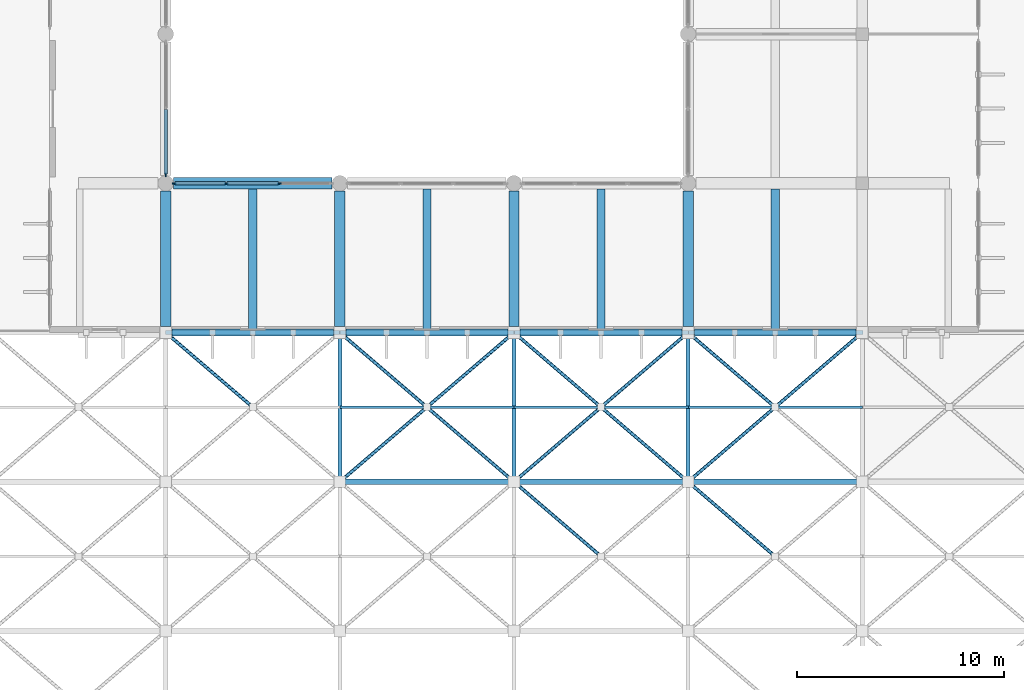
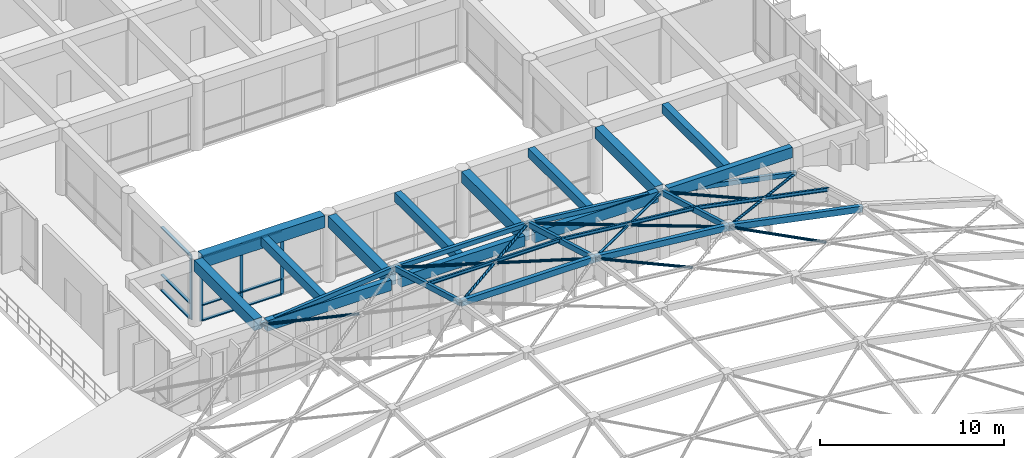
# One storey, part 5 of 23: 37 members, 13 beams, 2 elements without a shape of their own.
"""IFC4 building model written with IfcOpenShell, lengths in metres."""

from ifc_helpers import new_model, si_unit, direction, frame, origin, origin_2d, place, context, subcontext, project, spatial, rectangle, hollow_rectangle, hollow_circle, i_section, extrude, material, material_profile, profile_set, type_object, element, aggregate, save


model = new_model("IFC4")

# Units and contexts
model_context = context("Model", 3, precision=1e-05, world=origin(), true_north=direction((0.0, 1.0)))
body_context = subcontext(model_context, "Body", "Model", "MODEL_VIEW")
ifc_project = project(units=[si_unit("LENGTHUNIT", "METRE"), si_unit("AREAUNIT", "SQUARE_METRE"), si_unit("VOLUMEUNIT", "CUBIC_METRE"), si_unit("PLANEANGLEUNIT", "RADIAN"), si_unit("MASSUNIT", "GRAM", prefix="KILO")], contexts=[model_context])

# Site, building, storey
site_placement = place(None, origin())
site = spatial("IfcSite", under=ifc_project, at=site_placement, CompositionType="ELEMENT")
building_placement = place(site_placement, origin())
building = spatial("IfcBuilding", under=site, at=building_placement, Name="Kenerak Square Central Library", CompositionType="ELEMENT")
storey_placement = place(building_placement, frame((0.0, 0.0, 18.8798828125)))
storey = spatial("IfcBuildingStorey", under=building, at=storey_placement, Name="L04", CompositionType="ELEMENT", Elevation=18.8798828125)

# Beams
ifc_material_1 = material(Name="Concrete C40/50", Category="concrete")
ifc_material_profile_1 = material_profile(ifc_material_1, rectangle(XDim=0.35009765625, YDim=0.699951171875, at=origin_2d()), Name="RC 350x700")
ifc_profile_set_1 = profile_set([ifc_material_profile_1], Name="Concrete C40/50")
beam_type_1 = type_object("IfcBeamType", Name="Expressed Spandrel Beam SP-01 RC 350x700 C40/50", PredefinedType="SPANDREL", material=ifc_profile_set_1)
for number, where, z_axis, x_axis, name in (
    (1, (75.5, 52.800048828125, 4.130126953125), (1.0, 0.0, 0.0), (0.0, 1.0, 0.0), "Beam SP-01 L04 1535"),
    (2, (83.89990234375, 52.800048828125, 4.130126953125), (1.0, 0.0, 0.0), (0.0, 1.0, 0.0), "Beam SP-01 L04 1536"),
    (3, (92.300048828125, 52.800048828125, 4.130126953125), (1.0, 0.0, 0.0), (0.0, 1.0, 0.0), "Beam SP-01 L04 1537"),
    (4, (100.699951171875, 52.800048828125, 4.130126953125), (1.0, 0.0, 0.0), (0.0, 1.0, 0.0), "Beam SP-01 L04 1538"),
):
    element("IfcBeam", number, at=place(storey_placement, frame(where, z_axis=z_axis, x_axis=x_axis)), inside=storey, type_object=beam_type_1, Name=name, PredefinedType="SPANDREL", context=body_context, shape_type="SweptSolid", body=[
        extrude(rectangle(XDim=0.35009765625, YDim=0.699951171875, at=origin_2d()), origin(), (0.0, 0.0, 1.0), 7.800048828125),
    ])

# Curtain wall, members
ifc_material_2 = material(Name="Intumescent fire-resisting glazing EI 60", Category="glass")
curtain_wall_type_1 = type_object("IfcCurtainWallType", Name="Curtain Wall CW-AT60-76x42 7650x4255", PredefinedType="USERDEFINED", material=ifc_material_2)
curtain_wall_1_placement = place(storey_placement, origin())
curtain_wall_1 = element("IfcCurtainWall", 5, at=curtain_wall_1_placement, inside=storey, type_object=curtain_wall_type_1, Name="Atrium Fire-Rated Glazed Screen CW-AT60-76x42 L04 0177", ObjectType="CURTAIN WALL", PredefinedType="USERDEFINED")
ifc_material_3 = material(Name="Anodised aluminium 6063-T6", Category="aluminium")
ifc_material_profile_2 = material_profile(ifc_material_3, rectangle(XDim=0.070068359375, YDim=0.199951171875, at=origin_2d()), Name="AL MULLION 70x200")
ifc_profile_set_2 = profile_set([ifc_material_profile_2], Name="Anodised aluminium 6063-T6")
member_type_1 = type_object("IfcMemberType", Name="Fire-Rated Glazing Mullion CM-05 70x200", PredefinedType="MULLION", material=ifc_profile_set_2)
member_1_placement = place(storey_placement, frame((75.610107421875, 60.0, 0.0), z_axis=(0.0, 0.0, 1.0), x_axis=(0.0, 1.0, 0.0)))
member_1 = element("IfcMember", 6, at=member_1_placement, type_object=member_type_1, Name="CW-AT60-76x42 Mullion 1", PredefinedType="MULLION", context=body_context, shape_type="SweptSolid", body=[
    extrude(rectangle(XDim=0.070068359375, YDim=0.199951171875, at=origin_2d()), origin(), (0.0, 0.0, 1.0), 4.255126953125),
])
member_2_placement = place(storey_placement, frame((78.125, 60.0, 0.0), z_axis=(0.0, 0.0, 1.0), x_axis=(0.0, 1.0, 0.0)))
member_2 = element("IfcMember", 7, at=member_2_placement, type_object=member_type_1, Name="CW-AT60-76x42 Mullion 2", PredefinedType="MULLION", context=body_context, shape_type="SweptSolid", body=[
    extrude(rectangle(XDim=0.070068359375, YDim=0.199951171875, at=origin_2d()), origin(), (0.0, 0.0, 1.0), 4.255126953125),
])
member_3_placement = place(storey_placement, frame((80.675048828125, 60.0, 0.0), z_axis=(0.0, 0.0, 1.0), x_axis=(0.0, 1.0, 0.0)))
member_3 = element("IfcMember", 8, at=member_3_placement, type_object=member_type_1, Name="CW-AT60-76x42 Mullion 3", PredefinedType="MULLION", context=body_context, shape_type="SweptSolid", body=[
    extrude(rectangle(XDim=0.070068359375, YDim=0.199951171875, at=origin_2d()), origin(), (0.0, 0.0, 1.0), 4.255126953125),
])

# Curtain wall, member
curtain_wall_type_2 = type_object("IfcCurtainWallType", Name="Curtain Wall CW-AT60-64x42 6450x4255", PredefinedType="USERDEFINED", material=ifc_material_2)
curtain_wall_2_placement = place(storey_placement, origin())
curtain_wall_2 = element("IfcCurtainWall", 9, at=curtain_wall_2_placement, inside=storey, type_object=curtain_wall_type_2, Name="Atrium Fire-Rated Glazed Screen CW-AT60-64x42 L04 0186", ObjectType="CURTAIN WALL", PredefinedType="USERDEFINED")
member_4_placement = place(storey_placement, frame((75.199951171875, 60.409912109375, 0.0), z_axis=(0.0, 0.0, 1.0), x_axis=(1.0, 0.0, 0.0)))
member_4 = element("IfcMember", 10, at=member_4_placement, type_object=member_type_1, Name="CW-AT60-64x42 Mullion 3", PredefinedType="MULLION", context=body_context, shape_type="SweptSolid", body=[
    extrude(rectangle(XDim=0.070068359375, YDim=0.199951171875, at=origin_2d()), origin(), (0.0, 0.0, 1.0), 4.255126953125),
])

# Member
ifc_material_profile_3 = material_profile(ifc_material_3, rectangle(XDim=0.179931640625, YDim=0.070068359375, at=origin_2d()), Name="AL TRANSOM 180x70")
ifc_profile_set_3 = profile_set([ifc_material_profile_3], Name="Anodised aluminium 6063-T6")
member_type_2 = type_object("IfcMemberType", Name="Fire-Rated Glazing Transom CT-15 180x70", PredefinedType="USERDEFINED", material=ifc_profile_set_3)
member_5_placement = place(storey_placement, frame((75.64501953125, 60.0, 0.03515625), z_axis=(1.0, 0.0, 0.0), x_axis=(0.0, 1.0, 0.0)))
member_5 = element("IfcMember", 11, at=member_5_placement, type_object=member_type_2, Name="CW-AT60-76x42 Transom 1.1", ObjectType="TRANSOM", PredefinedType="USERDEFINED", context=body_context, shape_type="SweptSolid", body=[
    extrude(rectangle(XDim=0.179931640625, YDim=0.070068359375, at=origin_2d()), origin(), (0.0, 0.0, 1.0), 2.445068359375),
])

member_6_placement = place(storey_placement, frame((75.64501953125, 60.0, 1.050048828125), z_axis=(1.0, 0.0, 0.0), x_axis=(0.0, 1.0, 0.0)))
member_6 = element("IfcMember", 12, at=member_6_placement, type_object=member_type_2, Name="CW-AT60-76x42 Transom 1.2", ObjectType="TRANSOM", PredefinedType="USERDEFINED", context=body_context, shape_type="SweptSolid", body=[
    extrude(rectangle(XDim=0.179931640625, YDim=0.070068359375, at=origin_2d()), origin(), (0.0, 0.0, 1.0), 2.445068359375),
])

member_7_placement = place(storey_placement, frame((75.64501953125, 60.0, 4.22021484375), z_axis=(1.0, 0.0, 0.0), x_axis=(0.0, 1.0, 0.0)))
member_7 = element("IfcMember", 13, at=member_7_placement, type_object=member_type_2, Name="CW-AT60-76x42 Transom 1.3", ObjectType="TRANSOM", PredefinedType="USERDEFINED", context=body_context, shape_type="SweptSolid", body=[
    extrude(rectangle(XDim=0.179931640625, YDim=0.070068359375, at=origin_2d()), origin(), (0.0, 0.0, 1.0), 2.445068359375),
])

member_8_placement = place(storey_placement, frame((78.159912109375, 60.0, 0.03515625), z_axis=(1.0, 0.0, 0.0), x_axis=(0.0, 1.0, 0.0)))
member_8 = element("IfcMember", 14, at=member_8_placement, type_object=member_type_2, Name="CW-AT60-76x42 Transom 2.1", ObjectType="TRANSOM", PredefinedType="USERDEFINED", context=body_context, shape_type="SweptSolid", body=[
    extrude(rectangle(XDim=0.179931640625, YDim=0.070068359375, at=origin_2d()), origin(), (0.0, 0.0, 1.0), 2.47998046875),
])

member_9_placement = place(storey_placement, frame((78.159912109375, 60.0, 1.050048828125), z_axis=(1.0, 0.0, 0.0), x_axis=(0.0, 1.0, 0.0)))
member_9 = element("IfcMember", 15, at=member_9_placement, type_object=member_type_2, Name="CW-AT60-76x42 Transom 2.2", ObjectType="TRANSOM", PredefinedType="USERDEFINED", context=body_context, shape_type="SweptSolid", body=[
    extrude(rectangle(XDim=0.179931640625, YDim=0.070068359375, at=origin_2d()), origin(), (0.0, 0.0, 1.0), 2.47998046875),
])

member_10_placement = place(storey_placement, frame((78.159912109375, 60.0, 4.22021484375), z_axis=(1.0, 0.0, 0.0), x_axis=(0.0, 1.0, 0.0)))
member_10 = element("IfcMember", 16, at=member_10_placement, type_object=member_type_2, Name="CW-AT60-76x42 Transom 2.3", ObjectType="TRANSOM", PredefinedType="USERDEFINED", context=body_context, shape_type="SweptSolid", body=[
    extrude(rectangle(XDim=0.179931640625, YDim=0.070068359375, at=origin_2d()), origin(), (0.0, 0.0, 1.0), 2.47998046875),
])

aggregate(curtain_wall_1, [member_1, member_2, member_3, member_5, member_6, member_7, member_8, member_9, member_10])

member_11_placement = place(storey_placement, frame((75.199951171875, 63.56494140625, 0.03515625), z_axis=(0.0, -1.0, 0.0), x_axis=(1.0, 0.0, 0.0)))
member_11 = element("IfcMember", 17, at=member_11_placement, type_object=member_type_2, Name="CW-AT60-64x42 Transom 2.1", ObjectType="TRANSOM", PredefinedType="USERDEFINED", context=body_context, shape_type="SweptSolid", body=[
    extrude(rectangle(XDim=0.179931640625, YDim=0.070068359375, at=origin_2d()), origin(), (0.0, 0.0, 1.0), 3.119873046875),
])

member_12_placement = place(storey_placement, frame((75.199951171875, 63.56494140625, 1.050048828125), z_axis=(0.0, -1.0, 0.0), x_axis=(1.0, 0.0, 0.0)))
member_12 = element("IfcMember", 18, at=member_12_placement, type_object=member_type_2, Name="CW-AT60-64x42 Transom 2.2", ObjectType="TRANSOM", PredefinedType="USERDEFINED", context=body_context, shape_type="SweptSolid", body=[
    extrude(rectangle(XDim=0.179931640625, YDim=0.070068359375, at=origin_2d()), origin(), (0.0, 0.0, 1.0), 3.119873046875),
])

member_13_placement = place(storey_placement, frame((75.199951171875, 63.56494140625, 4.22021484375), z_axis=(0.0, -1.0, 0.0), x_axis=(1.0, 0.0, 0.0)))
member_13 = element("IfcMember", 19, at=member_13_placement, type_object=member_type_2, Name="CW-AT60-64x42 Transom 2.3", ObjectType="TRANSOM", PredefinedType="USERDEFINED", context=body_context, shape_type="SweptSolid", body=[
    extrude(rectangle(XDim=0.179931640625, YDim=0.070068359375, at=origin_2d()), origin(), (0.0, 0.0, 1.0), 3.119873046875),
])

aggregate(curtain_wall_2, [member_4, member_11, member_12, member_13])

# Members
ifc_material_4 = material(Name="Steel S355", Category="steel")
ifc_material_profile_4 = material_profile(ifc_material_4, hollow_rectangle(XDim=0.25, YDim=0.39990234375, WallThickness=0.012451171875, at=origin_2d()), Name="RHS 400x250x12.5")
ifc_profile_set_4 = profile_set([ifc_material_profile_4], Name="Steel S355")
member_type_3 = type_object("IfcMemberType", Name="Gridshell Arch Rib GM-02 RHS 400x250x12.5 S355", PredefinedType="CHORD", material=ifc_profile_set_4)
member_14_placement = place(storey_placement, frame((83.60009765625, 45.60009765625, 7.14208984375), z_axis=(1.0, 0.0, 0.0), x_axis=(0.0, 1.0, 0.0)))
element("IfcMember", 20, at=member_14_placement, inside=storey, type_object=member_type_3, Name="Gridshell Arch Chord 0032", PredefinedType="CHORD", context=body_context, shape_type="SweptSolid", body=[
    extrude(hollow_rectangle(XDim=0.25, YDim=0.39990234375, WallThickness=0.012451171875, at=origin_2d()), origin(), (0.0, 0.0, 1.0), 8.39990234375),
])
member_15_placement = place(storey_placement, frame((92.0, 45.60009765625, 7.14208984375), z_axis=(0.994929534043, 0.0, -0.100574461414), x_axis=(0.0, 1.0, 0.0)))
element("IfcMember", 21, at=member_15_placement, inside=storey, type_object=member_type_3, Name="Gridshell Arch Chord 0033", PredefinedType="CHORD", context=body_context, shape_type="SweptSolid", body=[
    extrude(hollow_rectangle(XDim=0.25, YDim=0.39990234375, WallThickness=0.012451171875, at=origin_2d()), origin(), (0.0, 0.0, 1.0), 8.442626953125),
])
member_16_placement = place(storey_placement, frame((100.39990234375, 45.60009765625, 6.29296875), z_axis=(0.98017539306, 0.0, -0.198131771405), x_axis=(0.0, 1.0, 0.0)))
element("IfcMember", 22, at=member_16_placement, inside=storey, type_object=member_type_3, Name="Gridshell Arch Chord 0034", PredefinedType="CHORD", context=body_context, shape_type="SweptSolid", body=[
    extrude(hollow_rectangle(XDim=0.25, YDim=0.39990234375, WallThickness=0.012451171875, at=origin_2d()), origin(), (0.0, 0.0, 1.0), 8.570068359375),
])
ifc_material_profile_5 = material_profile(ifc_material_4, hollow_rectangle(XDim=0.199951171875, YDim=0.35009765625, WallThickness=0.012451171875, at=origin_2d()), Name="RHS 350x200x12.5")
ifc_profile_set_5 = profile_set([ifc_material_profile_5], Name="Steel S355")
member_type_4 = type_object("IfcMemberType", Name="Gridshell Cross Rib GM-03 RHS 350x200x12.5 S355", PredefinedType="RAFTER", material=ifc_profile_set_5)
for number, where, z_axis, x_axis, name in (
    (23, (83.60009765625, 45.60009765625, 7.14208984375), (0.0, 0.96184206356, -0.273605271819), (-1.0, 0.0, 0.0), "Gridshell Cross Rib 0062"),
    (24, (92.0, 45.60009765625, 7.14208984375), (0.0, 0.96184206356, -0.273605271819), (-1.0, 0.0, 0.0), "Gridshell Cross Rib 0067"),
    (25, (100.39990234375, 45.60009765625, 6.29296875), (0.0, 0.96185064623, -0.273575098185), (-1.0, 0.0, 0.0), "Gridshell Cross Rib 0072"),
):
    element("IfcMember", number, at=place(storey_placement, frame(where, z_axis=z_axis, x_axis=x_axis)), inside=storey, type_object=member_type_4, Name=name, PredefinedType="RAFTER", context=body_context, shape_type="SweptSolid", body=[
        extrude(hollow_rectangle(XDim=0.199951171875, YDim=0.35009765625, WallThickness=0.012451171875, at=origin_2d()), origin(), (0.0, 0.0, 1.0), 7.485595703125),
    ])
ifc_material_profile_6 = material_profile(ifc_material_4, hollow_rectangle(XDim=0.199951171875, YDim=0.300048828125, WallThickness=0.010009765625, at=origin_2d()), Name="RHS 300x200x10.0")
ifc_profile_set_6 = profile_set([ifc_material_profile_6], Name="Steel S355")
member_type_5 = type_object("IfcMemberType", Name="Gridshell Edge Rib GM-04 RHS 300x200x10 S355", PredefinedType="RAFTER", material=ifc_profile_set_6)
member_17_placement = place(storey_placement, frame((75.199951171875, 52.800048828125, 4.2451171875), z_axis=(0.994932719565, 0.0, 0.100542943759), x_axis=(0.0, 1.0, 0.0)))
element("IfcMember", 26, at=member_17_placement, inside=storey, type_object=member_type_5, Name="Gridshell Arch Chord 0038", PredefinedType="RAFTER", context=body_context, shape_type="SweptSolid", body=[
    extrude(hollow_rectangle(XDim=0.199951171875, YDim=0.300048828125, WallThickness=0.010009765625, at=origin_2d()), origin(), (0.0, 0.0, 1.0), 8.44287109375),
])
member_18_placement = place(storey_placement, frame((83.60009765625, 52.800048828125, 5.093994140625), z_axis=(1.0, 0.0, 0.0), x_axis=(0.0, 1.0, 0.0)))
element("IfcMember", 27, at=member_18_placement, inside=storey, type_object=member_type_5, Name="Gridshell Arch Chord 0039", PredefinedType="RAFTER", context=body_context, shape_type="SweptSolid", body=[
    extrude(hollow_rectangle(XDim=0.199951171875, YDim=0.300048828125, WallThickness=0.010009765625, at=origin_2d()), origin(), (0.0, 0.0, 1.0), 8.39990234375),
])
member_19_placement = place(storey_placement, frame((92.0, 52.800048828125, 5.093994140625), z_axis=(0.994932427238, 0.0, -0.100545836468), x_axis=(0.0, 1.0, 0.0)))
element("IfcMember", 28, at=member_19_placement, inside=storey, type_object=member_type_5, Name="Gridshell Arch Chord 0040", PredefinedType="RAFTER", context=body_context, shape_type="SweptSolid", body=[
    extrude(hollow_rectangle(XDim=0.199951171875, YDim=0.300048828125, WallThickness=0.010009765625, at=origin_2d()), origin(), (0.0, 0.0, 1.0), 8.442626953125),
])
member_20_placement = place(storey_placement, frame((100.39990234375, 52.800048828125, 4.2451171875), z_axis=(0.98017539306, 0.0, -0.198131771405), x_axis=(0.0, 1.0, 0.0)))
element("IfcMember", 29, at=member_20_placement, inside=storey, type_object=member_type_5, Name="Gridshell Arch Chord 0041", PredefinedType="RAFTER", context=body_context, shape_type="SweptSolid", body=[
    extrude(hollow_rectangle(XDim=0.199951171875, YDim=0.300048828125, WallThickness=0.010009765625, at=origin_2d()), origin(), (0.0, 0.0, 1.0), 8.570068359375),
])
ifc_material_profile_7 = material_profile(ifc_material_4, hollow_circle(Radius=0.084228515625, WallThickness=0.008056640625, at=origin_2d()), Name="CHS 168.3x8.0")
ifc_profile_set_7 = profile_set([ifc_material_profile_7], Name="Steel S355")
member_type_6 = type_object("IfcMemberType", Name="Gridshell Nodal Brace GB-11 CHS 168.3x8 S355", PredefinedType="BRACE", material=ifc_profile_set_7)
member_21_placement = place(storey_placement, frame((79.330078125, 49.259765625, 5.66943359375), z_axis=(-0.73448153489, 0.629586613314, -0.253293448871), x_axis=(-0.650809853404, -0.759240762019, 0.0)))
element("IfcMember", 30, at=member_21_placement, inside=storey, type_object=member_type_6, Name="Gridshell Split Brace Seg 2 0138", PredefinedType="BRACE", context=body_context, shape_type="SweptSolid", body=[
    extrude(hollow_circle(Radius=0.084228515625, WallThickness=0.008056640625, at=origin_2d()), origin(), (0.0, 0.0, 1.0), 5.623291015625),
])
member_22_placement = place(storey_placement, frame((83.60009765625, 45.60009765625, 7.14208984375), z_axis=(0.746569944652, 0.639920195249, -0.18203148479), x_axis=(-0.650793190779, 0.759255044656, 0.0)))
element("IfcMember", 31, at=member_22_placement, inside=storey, type_object=member_type_6, Name="Gridshell Diagonal Brace 0153", PredefinedType="BRACE", context=body_context, shape_type="SweptSolid", body=[
    extrude(hollow_circle(Radius=0.084228515625, WallThickness=0.008056640625, at=origin_2d()), origin(), (0.0, 0.0, 1.0), 11.251220703125),
])
for number, where, z_axis, x_axis, name in (
    (32, (92.0, 45.60009765625, 7.14208984375), (-0.746588248391, 0.639894947595, -0.18204516859), (-0.650769190746, -0.759275615555, 0.0), "Gridshell Split Brace Seg 1 0154"),
    (33, (87.72900390625, 49.2607421875, 6.100830078125), (-0.746547620132, 0.639942103184, -0.182046025628), (-0.650817252708, -0.759234419384, 0.0), "Gridshell Split Brace Seg 2 0155"),
):
    element("IfcMember", number, at=place(storey_placement, frame(where, z_axis=z_axis, x_axis=x_axis)), inside=storey, type_object=member_type_6, Name=name, PredefinedType="BRACE", context=body_context, shape_type="SweptSolid", body=[
        extrude(hollow_circle(Radius=0.084228515625, WallThickness=0.008056640625, at=origin_2d()), origin(), (0.0, 0.0, 1.0), 5.53076171875),
    ])
member_23_placement = place(storey_placement, frame((96.1279296875, 42.061767578125, 7.22802734375), z_axis=(-0.75915226457, 0.650721183488, -0.015804447429), x_axis=(-0.650802467466, -0.759247093073, 0.0)))
element("IfcMember", 34, at=member_23_placement, inside=storey, type_object=member_type_6, Name="Gridshell Split Brace Seg 2 0168", PredefinedType="BRACE", context=body_context, shape_type="SweptSolid", body=[
    extrude(hollow_circle(Radius=0.084228515625, WallThickness=0.008056640625, at=origin_2d()), origin(), (0.0, 0.0, 1.0), 5.4375),
])
member_24_placement = place(storey_placement, frame((92.0, 45.60009765625, 7.14208984375), z_axis=(0.7344915263, 0.629567215082, -0.253312691132), x_axis=(-0.650793190779, 0.759255044656, 0.0)))
element("IfcMember", 35, at=member_24_placement, inside=storey, type_object=member_type_6, Name="Gridshell Diagonal Brace 0170", PredefinedType="BRACE", context=body_context, shape_type="SweptSolid", body=[
    extrude(hollow_circle(Radius=0.084228515625, WallThickness=0.008056640625, at=origin_2d()), origin(), (0.0, 0.0, 1.0), 11.436279296875),
])
member_25_placement = place(storey_placement, frame((100.39990234375, 45.60009765625, 6.29296875), z_axis=(-0.754844464135, 0.646990408581, -0.107764772395), x_axis=(-0.650780279685, -0.759266111171, 0.0)))
element("IfcMember", 36, at=member_25_placement, inside=storey, type_object=member_type_6, Name="Gridshell Split Brace Seg 1 0171", PredefinedType="BRACE", context=body_context, shape_type="SweptSolid", body=[
    extrude(hollow_circle(Radius=0.084228515625, WallThickness=0.008056640625, at=origin_2d()), origin(), (0.0, 0.0, 1.0), 5.468994140625),
])
member_26_placement = place(storey_placement, frame((96.12841796875, 49.261474609375, 5.683349609375), z_axis=(-0.754841867591, 0.646994561139, -0.10775802888), x_axis=(-0.650783978093, -0.759262941186, 0.0)))
element("IfcMember", 37, at=member_26_placement, inside=storey, type_object=member_type_6, Name="Gridshell Split Brace Seg 2 0172", PredefinedType="BRACE", context=body_context, shape_type="SweptSolid", body=[
    extrude(hollow_circle(Radius=0.084228515625, WallThickness=0.008056640625, at=origin_2d()), origin(), (0.0, 0.0, 1.0), 5.46923828125),
])
member_27_placement = place(storey_placement, frame((104.528076171875, 42.061767578125, 5.9619140625), z_axis=(-0.757862554194, 0.649577266422, 0.060776014163), x_axis=(-0.650780279685, -0.759266111171, 0.0)))
element("IfcMember", 38, at=member_27_placement, inside=storey, type_object=member_type_6, Name="Gridshell Split Brace Seg 2 0188", PredefinedType="BRACE", context=body_context, shape_type="SweptSolid", body=[
    extrude(hollow_circle(Radius=0.084228515625, WallThickness=0.008056640625, at=origin_2d()), origin(), (0.0, 0.0, 1.0), 5.447021484375),
])
member_28_placement = place(storey_placement, frame((100.39990234375, 45.60009765625, 6.29296875), z_axis=(0.719162297008, 0.616409896273, -0.320693670561), x_axis=(-0.650782286936, 0.759264390716, 0.0)))
element("IfcMember", 39, at=member_28_placement, inside=storey, type_object=member_type_6, Name="Gridshell Diagonal Brace 0190", PredefinedType="BRACE", context=body_context, shape_type="SweptSolid", body=[
    extrude(hollow_circle(Radius=0.084228515625, WallThickness=0.008056640625, at=origin_2d()), origin(), (0.0, 0.0, 1.0), 11.680419921875),
])
member_29_placement = place(storey_placement, frame((104.52783203125, 49.26171875, 4.4169921875), z_axis=(-0.758867992108, 0.650477514172, -0.031597058578), x_axis=(-0.650802467466, -0.759247093073, 0.0)))
element("IfcMember", 40, at=member_29_placement, inside=storey, type_object=member_type_6, Name="Gridshell Split Brace Seg 2 0192", PredefinedType="BRACE", context=body_context, shape_type="SweptSolid", body=[
    extrude(hollow_circle(Radius=0.084228515625, WallThickness=0.008056640625, at=origin_2d()), origin(), (0.0, 0.0, 1.0), 5.439697265625),
])

# Beam
ifc_material_profile_8 = material_profile(ifc_material_1, rectangle(XDim=0.550048828125, YDim=0.800048828125, at=origin_2d()), Name="RC 550x800")
ifc_profile_set_8 = profile_set([ifc_material_profile_8], Name="Concrete C40/50")
beam_type_2 = type_object("IfcBeamType", Name="Primary Reading Beam B-04 RC 550x800 C40/50", PredefinedType="BEAM", material=ifc_profile_set_8)
beam_placement = place(storey_placement, frame((75.574951171875, 60.0, 4.080078125), z_axis=(1.0, 0.0, 0.0), x_axis=(0.0, 1.0, 0.0)))
element("IfcBeam", 41, at=beam_placement, inside=storey, type_object=beam_type_2, Name="Beam B-04 L04 1539", PredefinedType="BEAM", context=body_context, shape_type="SweptSolid", body=[
    extrude(rectangle(XDim=0.550048828125, YDim=0.800048828125, at=origin_2d()), origin(), (0.0, 0.0, 1.0), 7.650146484375),
])

# Members
ifc_material_profile_9 = material_profile(ifc_material_4, i_section(OverallWidth=0.1201171875, OverallDepth=0.239990234375, WebThickness=0.006103515625, FlangeThickness=0.009765625, FilletRadius=0.014892578125, at=origin_2d()), Name="IPE 240")
ifc_profile_set_9 = profile_set([ifc_material_profile_9], Name="Steel S355")
member_type_7 = type_object("IfcMemberType", Name="Roof Steel Purlin PR-01 IPE 240 S355", PredefinedType="PURLIN", material=ifc_profile_set_9)
member_30_placement = place(storey_placement, frame((83.60009765625, 49.199951171875, 6.212890625), z_axis=(1.0, 0.0, 0.0), x_axis=(0.0, 1.0, 0.0)))
element("IfcMember", 42, at=member_30_placement, inside=storey, type_object=member_type_7, Name="Gridshell Purlin PR-01 0156", PredefinedType="PURLIN", context=body_context, shape_type="SweptSolid", body=[
    extrude(i_section(OverallWidth=0.1201171875, OverallDepth=0.239990234375, WebThickness=0.006103515625, FlangeThickness=0.009765625, FilletRadius=0.014892578125, at=origin_2d()), origin(), (0.0, 0.0, 1.0), 8.39990234375),
])
member_31_placement = place(storey_placement, frame((92.0, 49.199951171875, 6.212890625), z_axis=(0.994932427238, 0.0, -0.100545836468), x_axis=(0.0, 1.0, 0.0)))
element("IfcMember", 43, at=member_31_placement, inside=storey, type_object=member_type_7, Name="Gridshell Purlin PR-01 0173", PredefinedType="PURLIN", context=body_context, shape_type="SweptSolid", body=[
    extrude(i_section(OverallWidth=0.1201171875, OverallDepth=0.239990234375, WebThickness=0.006103515625, FlangeThickness=0.009765625, FilletRadius=0.014892578125, at=origin_2d()), origin(), (0.0, 0.0, 1.0), 8.442626953125),
])
member_32_placement = place(storey_placement, frame((100.39990234375, 49.199951171875, 5.364013671875), z_axis=(0.98017539306, 0.0, -0.198131771405), x_axis=(0.0, 1.0, 0.0)))
element("IfcMember", 44, at=member_32_placement, inside=storey, type_object=member_type_7, Name="Gridshell Purlin PR-01 0193", PredefinedType="PURLIN", context=body_context, shape_type="SweptSolid", body=[
    extrude(i_section(OverallWidth=0.1201171875, OverallDepth=0.239990234375, WebThickness=0.006103515625, FlangeThickness=0.009765625, FilletRadius=0.014892578125, at=origin_2d()), origin(), (0.0, 0.0, 1.0), 8.570068359375),
])

# Beams
ifc_material_profile_10 = material_profile(ifc_material_1, rectangle(XDim=0.39990234375, YDim=0.60009765625, at=origin_2d()), Name="RC 400x600")
ifc_profile_set_10 = profile_set([ifc_material_profile_10], Name="Concrete C40/50")
beam_type_3 = type_object("IfcBeamType", Name="Secondary Floor Joist J-01 RC 400x600 C40/50", PredefinedType="JOIST", material=ifc_profile_set_10)
for number, where, z_axis, x_axis, name in (
    (45, (79.39990234375, 52.97509765625, 4.18017578125), (0.0, 1.0, 0.0), (-1.0, 0.0, 0.0), "Joist J-01 L04 1622"),
    (46, (87.800048828125, 52.97509765625, 4.18017578125), (0.0, 1.0, 0.0), (-1.0, 0.0, 0.0), "Joist J-01 L04 1627"),
    (47, (96.199951171875, 52.97509765625, 4.18017578125), (0.0, 1.0, 0.0), (-1.0, 0.0, 0.0), "Joist J-01 L04 1631"),
    (48, (104.60009765625, 52.97509765625, 4.18017578125), (0.0, 1.0, 0.0), (-1.0, 0.0, 0.0), "Joist J-01 L04 1637"),
):
    element("IfcBeam", number, at=place(storey_placement, frame(where, z_axis=z_axis, x_axis=x_axis)), inside=storey, type_object=beam_type_3, Name=name, PredefinedType="JOIST", context=body_context, shape_type="SweptSolid", body=[
        extrude(rectangle(XDim=0.39990234375, YDim=0.60009765625, at=origin_2d()), origin(), (0.0, 0.0, 1.0), 6.75),
    ])
ifc_material_profile_11 = material_profile(ifc_material_1, rectangle(XDim=0.5, YDim=0.75, at=origin_2d()), Name="RC 500x750")
ifc_profile_set_11 = profile_set([ifc_material_profile_11], Name="Concrete C40/50")
beam_type_4 = type_object("IfcBeamType", Name="Transverse Frame Beam B-05 RC 500x750 C40/50", PredefinedType="BEAM", material=ifc_profile_set_11)
for number, where, z_axis, x_axis, name in (
    (49, (75.199951171875, 53.10009765625, 4.105224609375), (0.0, 1.0, 0.0), (-1.0, 0.0, 0.0), "Beam B-05 L04 1580"),
    (50, (83.60009765625, 53.10009765625, 4.105224609375), (0.0, 1.0, 0.0), (-1.0, 0.0, 0.0), "Beam B-05 L04 1588"),
    (51, (92.0, 53.10009765625, 4.105224609375), (0.0, 1.0, 0.0), (-1.0, 0.0, 0.0), "Beam B-05 L04 1594"),
    (52, (100.39990234375, 53.10009765625, 4.105224609375), (0.0, 1.0, 0.0), (-1.0, 0.0, 0.0), "Beam B-05 L04 1600"),
):
    element("IfcBeam", number, at=place(storey_placement, frame(where, z_axis=z_axis, x_axis=x_axis)), inside=storey, type_object=beam_type_4, Name=name, PredefinedType="BEAM", context=body_context, shape_type="SweptSolid", body=[
        extrude(rectangle(XDim=0.5, YDim=0.75, at=origin_2d()), origin(), (0.0, 0.0, 1.0), 6.52490234375),
    ])

save(model, "model.ifc")
